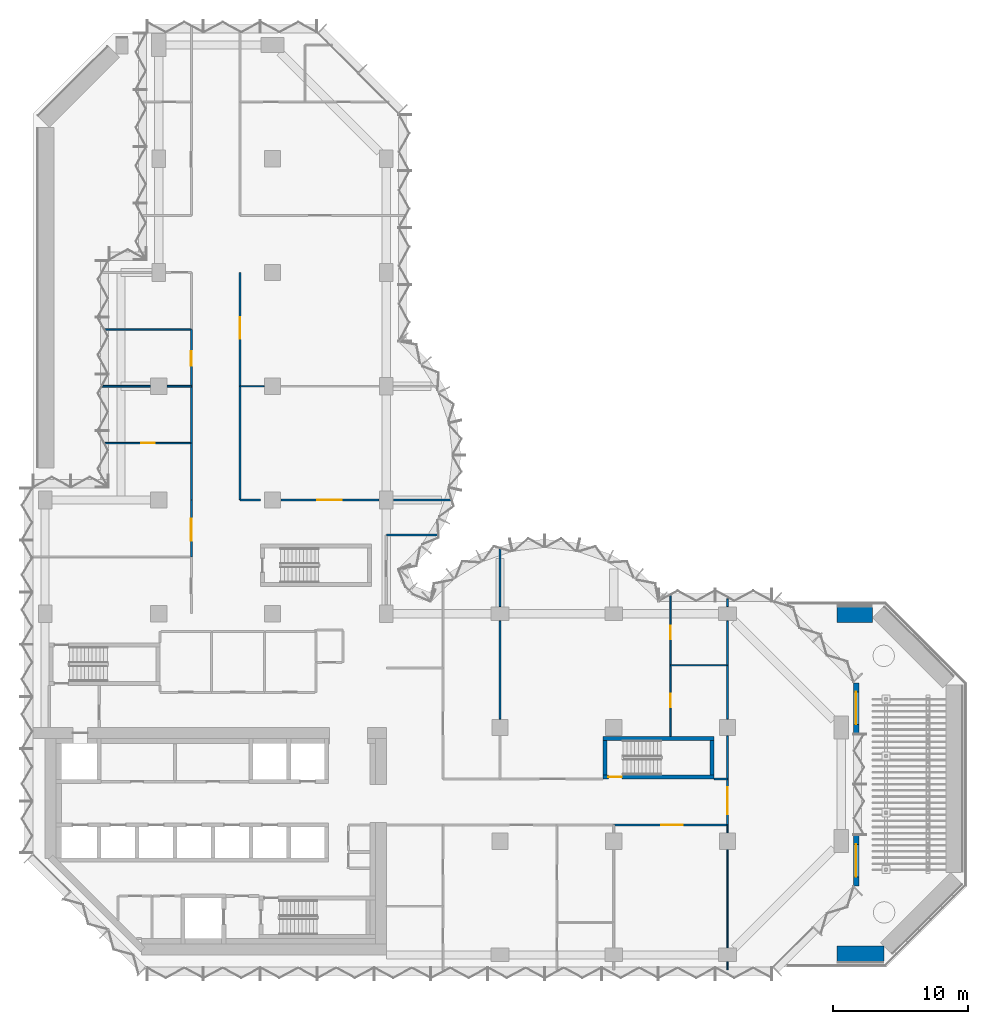
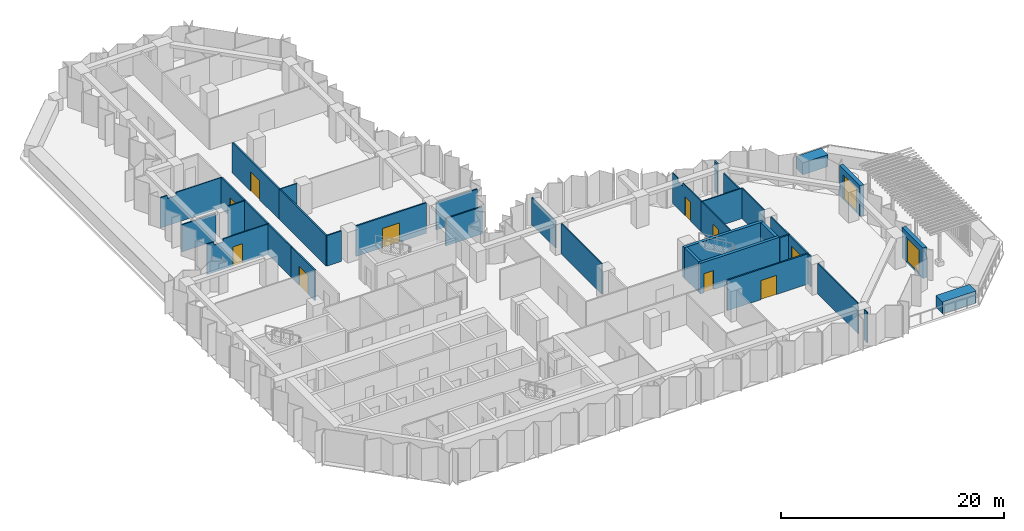
# One storey, part 13 of 18: 38 walls, 12 doors, 12 openings.
"""IFC4 building model written with IfcOpenShell, lengths in metres."""

from ifc_helpers import new_model, si_unit, direction, frame, frame_2d, origin, place, context, subcontext, project, spatial, polyline, rectangle, outline, extrude, material, layer, layer_set, type_object, element, fill, save


model = new_model("IFC4")

# Units and contexts
model_context = context("Model", 3, precision=1e-05, world=origin(), true_north=direction((0.0, 1.0)))
body_context = subcontext(model_context, "Body", "Model", "MODEL_VIEW")
ifc_project = project(units=[si_unit("LENGTHUNIT", "METRE"), si_unit("AREAUNIT", "SQUARE_METRE"), si_unit("VOLUMEUNIT", "CUBIC_METRE"), si_unit("PLANEANGLEUNIT", "RADIAN"), si_unit("MASSUNIT", "GRAM", prefix="KILO")], contexts=[model_context])

# Site, building, storey
site_placement = place(None, origin())
site = spatial("IfcSite", under=ifc_project, at=site_placement, CompositionType="ELEMENT")
building_placement = place(site_placement, origin())
building = spatial("IfcBuilding", under=site, at=building_placement, Name="Brevane Broadcast Tower", CompositionType="ELEMENT")
storey_placement = place(building_placement, frame((0.0, 0.0, 134.89990234375)))
storey = spatial("IfcBuildingStorey", under=building, at=storey_placement, Name="L33", CompositionType="ELEMENT", Elevation=134.89990234375)

# Wall, opening, door
ifc_material_1 = material(Name="Concrete C60/75", Category="concrete")
ifc_layer_1 = layer(ifc_material_1, 0.300048828125)
ifc_layer_set_1 = layer_set([ifc_layer_1], Name="Core wall 300 mm C60/75")
wall_type_1 = type_object("IfcWallType", Name="Core wall 300 mm C60/75", PredefinedType="SHEAR", material=ifc_layer_set_1)
wall_1_placement = place(storey_placement, frame((49.39990234375, 13.14990234375, 0.0), z_axis=(0.0, 0.0, 1.0), x_axis=(-1.0, 0.0, 0.0)))
wall_1 = element("IfcWall", 1, at=wall_1_placement, inside=storey, type_object=wall_type_1, Name="L33 stair wall ST-4-S", PredefinedType="SHEAR", context=body_context, shape_type="SweptSolid", body=[
    extrude(rectangle(XDim=8.199951171875, YDim=0.300048828125, at=frame_2d((4.10009765625, 0.0))), origin(), (0.0, 0.0, 1.0), 3.35009765625),
])
opening_1_placement = place(wall_1_placement, frame((6.800048828125, 0.0, 0.0)))
opening_1 = element("IfcOpeningElement", 2, at=opening_1_placement, cuts=wall_1, Name="Opening L33-K15", PredefinedType="OPENING", context=body_context, shape_type="SweptSolid", body=[
    extrude(rectangle(XDim=1.0, YDim=2.10009765625, at=frame_2d((0.5, 1.050048828125))), frame((0.0, 0.159912109375, 0.0), z_axis=(0.0, -1.0, 0.0), x_axis=(1.0, 0.0, 0.0)), (0.0, 0.0, 1.0), 0.320068359375),
])
ifc_material_2 = material(Name="Steel", Category="steel")
door_type_1 = type_object("IfcDoorType", Name="Stair door 1000 x 2100", OperationType="SINGLE_SWING_LEFT", PredefinedType="DOOR", material=ifc_material_2)
door_1_placement = place(opening_1_placement, origin())
door_1 = element("IfcDoor", 3, at=door_1_placement, inside=storey, type_object=door_type_1, Name="Door L33-K15", OperationType="SINGLE_SWING_LEFT", OverallHeight=2.10009765625, OverallWidth=1.0, PredefinedType="DOOR", context=body_context, shape_type="SweptSolid", body=[
    extrude(rectangle(XDim=1.0, YDim=2.10009765625, at=frame_2d((0.5, 1.050048828125))), frame((0.0, 0.02490234375, 0.0), z_axis=(0.0, -1.0, 0.0), x_axis=(1.0, 0.0, 0.0)), (0.0, 0.0, 1.0), 0.050048828125),
])
fill(opening_1, door_1)

# Walls
wall_2_placement = place(storey_placement, frame((41.199951171875, 16.0, 0.0), z_axis=(0.0, 0.0, 1.0), x_axis=(1.0, 0.0, 0.0)))
element("IfcWall", 4, at=wall_2_placement, inside=storey, type_object=wall_type_1, Name="L33 stair wall ST-4-N", PredefinedType="SHEAR", context=body_context, shape_type="SweptSolid", body=[
    extrude(rectangle(XDim=8.199951171875, YDim=0.300048828125, at=frame_2d((4.10009765625, 0.0))), origin(), (0.0, 0.0, 1.0), 3.35009765625),
])
for number, where, z_axis, x_axis, name in (
    (5, (41.35009765625, 13.300048828125, 0.0), (0.0, 0.0, 1.0), (0.0, 1.0, 0.0), "L33 stair wall ST-4-W"),
    (6, (49.25, 13.300048828125, 0.0), (0.0, 0.0, 1.0), (0.0, 1.0, 0.0), "L33 stair wall ST-4-E"),
):
    element("IfcWall", number, at=place(storey_placement, frame(where, z_axis=z_axis, x_axis=x_axis)), inside=storey, type_object=wall_type_1, Name=name, PredefinedType="SHEAR", context=body_context, shape_type="SweptSolid", body=[
        extrude(rectangle(XDim=2.550048828125, YDim=0.300048828125, at=frame_2d((1.27490234375, 0.0))), origin(), (0.0, 0.0, 1.0), 3.35009765625),
    ])

# Wall, opening, door
ifc_material_3 = material(Name="Concrete C40/50", Category="concrete")
ifc_layer_2 = layer(ifc_material_3, 0.39990234375)
ifc_layer_set_2 = layer_set([ifc_layer_2], Name="Entrance portal wall 400")
wall_type_2 = type_object("IfcWallType", Name="Entrance portal wall 400", PredefinedType="SOLIDWALL", material=ifc_layer_set_2)
wall_3_placement = place(storey_placement, frame((59.89990234375, 8.85009765625, 0.0), z_axis=(0.0, 0.0, 1.0), x_axis=(0.0, -1.0, 0.0)))
wall_3 = element("IfcWall", 7, at=wall_3_placement, inside=storey, type_object=wall_type_2, Name="Portal wall terrace door", PredefinedType="SOLIDWALL", context=body_context, shape_type="SweptSolid", body=[
    extrude(rectangle(XDim=3.75, YDim=0.39990234375, at=frame_2d((1.875, 0.0))), origin(), (0.0, 0.0, 1.0), 3.35009765625),
])
opening_2_placement = place(wall_3_placement, frame((0.675048828125, 0.0, 0.0)))
opening_2 = element("IfcOpeningElement", 8, at=opening_2_placement, cuts=wall_3, Name="Opening EX11", PredefinedType="OPENING", context=body_context, shape_type="SweptSolid", body=[
    extrude(rectangle(XDim=2.39990234375, YDim=2.699951171875, at=frame_2d((1.199951171875, 1.35009765625))), frame((0.0, 0.2099609375, 0.0), z_axis=(0.0, -1.0, 0.0), x_axis=(1.0, 0.0, 0.0)), (0.0, 0.0, 1.0), 0.419921875),
])
ifc_material_4 = material(Name="Aluminium bronze anodised and laminated glass", Category="aluminium")
door_type_2 = type_object("IfcDoorType", Name="Terrace door 2400x2700", OperationType="DOUBLE_DOOR_SINGLE_SWING", PredefinedType="DOOR", material=ifc_material_4)
door_2_placement = place(opening_2_placement, origin())
door_2 = element("IfcDoor", 9, at=door_2_placement, inside=storey, type_object=door_type_2, Name="Terrace door", OperationType="DOUBLE_DOOR_SINGLE_SWING", OverallHeight=2.699951171875, OverallWidth=2.39990234375, PredefinedType="DOOR", context=body_context, shape_type="SweptSolid", body=[
    extrude(rectangle(XDim=2.39990234375, YDim=2.699951171875, at=frame_2d((1.199951171875, 1.35009765625))), frame((0.0, 0.02490234375, 0.0), z_axis=(0.0, -1.0, 0.0), x_axis=(1.0, 0.0, 0.0)), (0.0, 0.0, 1.0), 0.050048828125),
])
fill(opening_2, door_2)

wall_4_placement = place(storey_placement, frame((59.89990234375, 20.10009765625, 0.0), z_axis=(0.0, 0.0, 1.0), x_axis=(0.0, -1.0, 0.0)))
wall_4 = element("IfcWall", 10, at=wall_4_placement, inside=storey, type_object=wall_type_2, Name="Portal wall terrace door", PredefinedType="SOLIDWALL", context=body_context, shape_type="SweptSolid", body=[
    extrude(rectangle(XDim=3.75, YDim=0.39990234375, at=frame_2d((1.875, 0.0))), origin(), (0.0, 0.0, 1.0), 3.35009765625),
])
opening_3_placement = place(wall_4_placement, frame((0.675048828125, 0.0, 0.0)))
opening_3 = element("IfcOpeningElement", 11, at=opening_3_placement, cuts=wall_4, Name="Opening EX12", PredefinedType="OPENING", context=body_context, shape_type="SweptSolid", body=[
    extrude(rectangle(XDim=2.39990234375, YDim=2.699951171875, at=frame_2d((1.199951171875, 1.35009765625))), frame((0.0, 0.2099609375, 0.0), z_axis=(0.0, -1.0, 0.0), x_axis=(1.0, 0.0, 0.0)), (0.0, 0.0, 1.0), 0.419921875),
])
door_3_placement = place(opening_3_placement, origin())
door_3 = element("IfcDoor", 12, at=door_3_placement, inside=storey, type_object=door_type_2, Name="Terrace door", OperationType="DOUBLE_DOOR_SINGLE_SWING", OverallHeight=2.699951171875, OverallWidth=2.39990234375, PredefinedType="DOOR", context=body_context, shape_type="SweptSolid", body=[
    extrude(rectangle(XDim=2.39990234375, YDim=2.699951171875, at=frame_2d((1.199951171875, 1.35009765625))), frame((0.0, 0.02490234375, 0.0), z_axis=(0.0, -1.0, 0.0), x_axis=(1.0, 0.0, 0.0)), (0.0, 0.0, 1.0), 0.050048828125),
])
fill(opening_3, door_3)

# Walls
ifc_material_5 = material(Name="Gypsum board partition")
ifc_layer_3 = layer(ifc_material_5, 0.10009765625)
ifc_layer_set_3 = layer_set([ifc_layer_3], Name="PARTITION 100 STUD")
wall_type_3 = type_object("IfcWallType", Name="PARTITION 100 STUD", PredefinedType="PARTITIONING", material=ifc_layer_set_3)
wall_5_placement = place(storey_placement, frame((50.39990234375, -1.10009765625, 0.0), z_axis=(0.0, 0.0, 1.0), x_axis=(0.0, 1.0, 0.0)))
element("IfcWall", 13, at=wall_5_placement, inside=storey, type_object=wall_type_3, Name="Partition G10-014", PredefinedType="PARTITIONING", context=body_context, shape_type="SweptSolid", body=[
    extrude(rectangle(XDim=0.580078125, YDim=0.10009765625, at=frame_2d((0.2900390625, 0.0))), origin(), (0.0, 0.0, 1.0), 3.330078125),
])
wall_6_placement = place(storey_placement, frame((50.39990234375, 0.52001953125, 0.0), z_axis=(0.0, 0.0, 1.0), x_axis=(0.0, 1.0, 0.0)))
element("IfcWall", 14, at=wall_6_placement, inside=storey, type_object=wall_type_3, Name="Partition G10-015", PredefinedType="PARTITIONING", context=body_context, shape_type="SweptSolid", body=[
    extrude(outline(polyline([(0.0, 0.0), (7.260009765625, 0.0), (7.260009765625, 3.330078125), (0.145751953125, 3.330078125), (0.143798828125, 2.97998046875), (0.0, 2.97998046875), (0.0, 0.0)])), frame((0.0, 0.050048828125, 0.0), z_axis=(0.0, -1.0, 0.0), x_axis=(1.0, 0.0, 0.0)), (0.0, 0.0, 1.0), 0.10009765625),
])
wall_7_placement = place(storey_placement, frame((50.39990234375, 9.02001953125, 0.0), z_axis=(0.0, 0.0, 1.0), x_axis=(0.0, 1.0, 0.0)))
element("IfcWall", 15, at=wall_7_placement, inside=storey, type_object=wall_type_3, Name="Partition G10-016", PredefinedType="PARTITIONING", context=body_context, shape_type="SweptSolid", body=[
    extrude(rectangle(XDim=0.580078125, YDim=0.10009765625, at=frame_2d((0.2900390625, 0.0))), origin(), (0.0, 0.0, 1.0), 3.330078125),
])

# Wall, opening, door
wall_8_placement = place(storey_placement, frame((46.199951171875, 21.39990234375, 0.0), z_axis=(0.0, 0.0, 1.0), x_axis=(0.0, -1.0, 0.0)))
wall_8 = element("IfcWall", 16, at=wall_8_placement, inside=storey, type_object=wall_type_3, Name="Partition G10-034", PredefinedType="PARTITIONING", context=body_context, shape_type="SweptSolid", body=[
    extrude(rectangle(XDim=5.25, YDim=0.10009765625, at=frame_2d((2.625, 0.0))), origin(), (0.0, 0.0, 1.0), 3.330078125),
])
opening_4_placement = place(wall_8_placement, frame((2.10009765625, 0.0, 0.0)))
opening_4 = element("IfcOpeningElement", 17, at=opening_4_placement, cuts=wall_8, Name="Opening D17-011", PredefinedType="OPENING", context=body_context, shape_type="SweptSolid", body=[
    extrude(rectangle(XDim=1.0, YDim=2.10009765625, at=frame_2d((0.5, 1.050048828125))), frame((0.0, 0.06005859375, 0.0), z_axis=(0.0, -1.0, 0.0), x_axis=(1.0, 0.0, 0.0)), (0.0, 0.0, 1.0), 0.1201171875),
])
ifc_material_6 = material(Name="Timber door leaf", Category="wood")
door_type_3 = type_object("IfcDoorType", Name="DOOR SINGLE 1000 INTERNAL", OperationType="SINGLE_SWING_LEFT", PredefinedType="DOOR", material=ifc_material_6)
door_4_placement = place(opening_4_placement, origin())
door_4 = element("IfcDoor", 18, at=door_4_placement, inside=storey, type_object=door_type_3, Name="Door D17-011", OperationType="SINGLE_SWING_LEFT", OverallHeight=2.10009765625, OverallWidth=1.0, PredefinedType="DOOR", context=body_context, shape_type="SweptSolid", body=[
    extrude(rectangle(XDim=1.0, YDim=2.10009765625, at=frame_2d((0.5, 1.050048828125))), frame((0.0, 0.02490234375, 0.0), z_axis=(0.0, -1.0, 0.0), x_axis=(1.0, 0.0, 0.0)), (0.0, 0.0, 1.0), 0.050048828125),
])
fill(opening_4, door_4)

wall_9_placement = place(storey_placement, frame((46.199951171875, 26.56494140625, 0.0), z_axis=(0.0, 0.0, 1.0), x_axis=(0.0, -1.0, 0.0)))
wall_9 = element("IfcWall", 19, at=wall_9_placement, inside=storey, type_object=wall_type_3, Name="Partition G10-035", PredefinedType="PARTITIONING", context=body_context, shape_type="SweptSolid", body=[
    extrude(outline(polyline([(0.0, 0.0), (5.1650390625, 0.0), (5.1650390625, 3.330078125), (1.81494140625, 3.330078125), (1.81298828125, 2.97998046875), (0.9169921875, 2.97998046875), (0.9150390625, 3.330078125), (0.264892578125, 3.330078125), (0.0, 3.330078125), (0.0, 0.0)])), frame((0.0, 0.050048828125, 0.0), z_axis=(0.0, -1.0, 0.0), x_axis=(1.0, 0.0, 0.0)), (0.0, 0.0, 1.0), 0.10009765625),
])
opening_5_placement = place(wall_9_placement, frame((2.264892578125, 0.0, 0.0)))
opening_5 = element("IfcOpeningElement", 20, at=opening_5_placement, cuts=wall_9, Name="Opening D17-012", PredefinedType="OPENING", context=body_context, shape_type="SweptSolid", body=[
    extrude(rectangle(XDim=1.0, YDim=2.10009765625, at=frame_2d((0.5, 1.050048828125))), frame((0.0, 0.06005859375, 0.0), z_axis=(0.0, -1.0, 0.0), x_axis=(1.0, 0.0, 0.0)), (0.0, 0.0, 1.0), 0.1201171875),
])
door_5_placement = place(opening_5_placement, origin())
door_5 = element("IfcDoor", 21, at=door_5_placement, inside=storey, type_object=door_type_3, Name="Door D17-012", OperationType="SINGLE_SWING_LEFT", OverallHeight=2.10009765625, OverallWidth=1.0, PredefinedType="DOOR", context=body_context, shape_type="SweptSolid", body=[
    extrude(rectangle(XDim=1.0, YDim=2.10009765625, at=frame_2d((0.5, 1.050048828125))), frame((0.0, 0.02490234375, 0.0), z_axis=(0.0, -1.0, 0.0), x_axis=(1.0, 0.0, 0.0)), (0.0, 0.0, 1.0), 0.050048828125),
])
fill(opening_5, door_5)

# Wall
wall_10_placement = place(storey_placement, frame((46.199951171875, 21.39990234375, 0.0), z_axis=(0.0, 0.0, 1.0), x_axis=(1.0, 0.0, 0.0)))
element("IfcWall", 22, at=wall_10_placement, inside=storey, type_object=wall_type_3, Name="Partition G10-036", PredefinedType="PARTITIONING", context=body_context, shape_type="SweptSolid", body=[
    extrude(rectangle(XDim=4.199951171875, YDim=0.10009765625, at=frame_2d((2.10009765625, 0.0))), origin(), (0.0, 0.0, 1.0), 3.330078125),
])

# Wall, opening, door
wall_11_placement = place(storey_placement, frame((4.426025390625, 37.800048828125, 0.0), z_axis=(0.0, 0.0, 1.0), x_axis=(1.0, 0.0, 0.0)))
wall_11 = element("IfcWall", 23, at=wall_11_placement, inside=storey, type_object=wall_type_3, Name="Partition G10-056", PredefinedType="PARTITIONING", context=body_context, shape_type="SweptSolid", body=[
    extrude(outline(polyline([(0.0, 0.0), (6.3740234375, 0.0), (6.3740234375, 3.330078125), (1.6240234375, 3.330078125), (1.6220703125, 2.97998046875), (0.72607421875, 2.97998046875), (0.72412109375, 3.330078125), (0.073974609375, 3.330078125), (0.0, 3.330078125), (0.0, 0.0)])), frame((0.0, 0.050048828125, 0.0), z_axis=(0.0, -1.0, 0.0), x_axis=(1.0, 0.0, 0.0)), (0.0, 0.0, 1.0), 0.10009765625),
])
opening_6_placement = place(wall_11_placement, frame((2.674072265625, 0.0, 0.0)))
opening_6 = element("IfcOpeningElement", 24, at=opening_6_placement, cuts=wall_11, Name="Opening D17-015", PredefinedType="OPENING", context=body_context, shape_type="SweptSolid", body=[
    extrude(rectangle(XDim=1.0, YDim=2.10009765625, at=frame_2d((0.5, 1.050048828125))), frame((0.0, 0.06005859375, 0.0), z_axis=(0.0, -1.0, 0.0), x_axis=(1.0, 0.0, 0.0)), (0.0, 0.0, 1.0), 0.1201171875),
])
door_6_placement = place(opening_6_placement, origin())
door_6 = element("IfcDoor", 25, at=door_6_placement, inside=storey, type_object=door_type_3, Name="Door D17-015", OperationType="SINGLE_SWING_LEFT", OverallHeight=2.10009765625, OverallWidth=1.0, PredefinedType="DOOR", context=body_context, shape_type="SweptSolid", body=[
    extrude(rectangle(XDim=1.0, YDim=2.10009765625, at=frame_2d((0.5, 1.050048828125))), frame((0.0, 0.02490234375, 0.0), z_axis=(0.0, -1.0, 0.0), x_axis=(1.0, 0.0, 0.0)), (0.0, 0.0, 1.0), 0.050048828125),
])
fill(opening_6, door_6)

# Walls
wall_12_placement = place(storey_placement, frame((4.426025390625, 46.199951171875, 0.0), z_axis=(0.0, 0.0, 1.0), x_axis=(1.0, 0.0, 0.0)))
element("IfcWall", 26, at=wall_12_placement, inside=storey, type_object=wall_type_3, Name="Partition G10-059", PredefinedType="PARTITIONING", context=body_context, shape_type="SweptSolid", body=[
    extrude(outline(polyline([(0.0, 0.0), (6.3740234375, 0.0), (6.3740234375, 3.330078125), (1.6240234375, 3.330078125), (1.6220703125, 2.97998046875), (0.72607421875, 2.97998046875), (0.72412109375, 3.330078125), (0.073974609375, 3.330078125), (0.0, 3.330078125), (0.0, 0.0)])), frame((0.0, 0.050048828125, 0.0), z_axis=(0.0, -1.0, 0.0), x_axis=(1.0, 0.0, 0.0)), (0.0, 0.0, 1.0), 0.10009765625),
])
wall_13_placement = place(storey_placement, frame((14.39990234375, 42.0, 0.0), z_axis=(0.0, 0.0, 1.0), x_axis=(1.0, 0.0, 0.0)))
element("IfcWall", 27, at=wall_13_placement, inside=storey, type_object=wall_type_3, Name="Partition G10-062", PredefinedType="PARTITIONING", context=body_context, shape_type="SweptSolid", body=[
    extrude(rectangle(XDim=1.780029296875, YDim=0.10009765625, at=frame_2d((0.89013671875, 0.0))), origin(), (0.0, 0.0, 1.0), 3.330078125),
])
ifc_layer_4 = layer(ifc_material_5, 0.125)
ifc_layer_set_4 = layer_set([ifc_layer_4], Name="PARTITION 125 ACOUSTIC")
wall_type_4 = type_object("IfcWallType", Name="PARTITION 125 ACOUSTIC", PredefinedType="PARTITIONING", material=ifc_layer_set_4)
wall_14_placement = place(storey_placement, frame((50.39990234375, 13.0, 0.0), z_axis=(0.0, 0.0, 1.0), x_axis=(0.0, 1.0, 0.0)))
element("IfcWall", 28, at=wall_14_placement, inside=storey, type_object=wall_type_4, Name="Partition G10-017", PredefinedType="PARTITIONING", context=body_context, shape_type="SweptSolid", body=[
    extrude(rectangle(XDim=3.179931640625, YDim=0.125, at=frame_2d((1.58984375, 0.0))), origin(), (0.0, 0.0, 1.0), 3.330078125),
])
wall_15_placement = place(storey_placement, frame((50.39990234375, 17.419921875, 0.0), z_axis=(0.0, 0.0, 1.0), x_axis=(0.0, 1.0, 0.0)))
element("IfcWall", 29, at=wall_15_placement, inside=storey, type_object=wall_type_4, Name="Partition G10-018", PredefinedType="PARTITIONING", context=body_context, shape_type="SweptSolid", body=[
    extrude(rectangle(XDim=3.97998046875, YDim=0.125, at=frame_2d((1.989990234375, 0.0))), origin(), (0.0, 0.0, 1.0), 3.330078125),
])
wall_16_placement = place(storey_placement, frame((50.39990234375, 21.39990234375, 0.0), z_axis=(0.0, 0.0, 1.0), x_axis=(0.0, 1.0, 0.0)))
element("IfcWall", 30, at=wall_16_placement, inside=storey, type_object=wall_type_4, Name="Partition G10-019", PredefinedType="PARTITIONING", context=body_context, shape_type="SweptSolid", body=[
    extrude(rectangle(XDim=3.280029296875, YDim=0.125, at=frame_2d((1.64013671875, 0.0))), origin(), (0.0, 0.0, 1.0), 2.97998046875),
])
wall_17_placement = place(storey_placement, frame((50.39990234375, 25.719970703125, 0.0), z_axis=(0.0, 0.0, 1.0), x_axis=(0.0, 1.0, 0.0)))
element("IfcWall", 31, at=wall_17_placement, inside=storey, type_object=wall_type_4, Name="Partition G10-020", PredefinedType="PARTITIONING", context=body_context, shape_type="SweptSolid", body=[
    extrude(rectangle(XDim=0.580078125, YDim=0.125, at=frame_2d((0.2900390625, 0.0))), origin(), (0.0, 0.0, 1.0), 3.330078125),
])
wall_18_placement = place(storey_placement, frame((33.60009765625, 29.98828125, 0.0), z_axis=(0.0, 0.0, 1.0), x_axis=(0.0, -1.0, 0.0)))
element("IfcWall", 32, at=wall_18_placement, inside=storey, type_object=wall_type_4, Name="Partition G10-031", PredefinedType="PARTITIONING", context=body_context, shape_type="SweptSolid", body=[
    extrude(rectangle(XDim=4.268310546875, YDim=0.125, at=frame_2d((2.13427734375, 0.0))), origin(), (0.0, 0.0, 1.0), 2.97998046875),
])
wall_19_placement = place(storey_placement, frame((33.60009765625, 24.679931640625, 0.0), z_axis=(0.0, 0.0, 1.0), x_axis=(0.0, -1.0, 0.0)))
element("IfcWall", 33, at=wall_19_placement, inside=storey, type_object=wall_type_4, Name="Partition G10-032", PredefinedType="PARTITIONING", context=body_context, shape_type="SweptSolid", body=[
    extrude(rectangle(XDim=7.260009765625, YDim=0.125, at=frame_2d((3.6298828125, 0.0))), origin(), (0.0, 0.0, 1.0), 3.330078125),
])
wall_20_placement = place(storey_placement, frame((4.235107421875, 42.0, 0.0), z_axis=(0.0, 0.0, 1.0), x_axis=(1.0, 0.0, 0.0)))
element("IfcWall", 34, at=wall_20_placement, inside=storey, type_object=wall_type_4, Name="Partition G10-057", PredefinedType="PARTITIONING", context=body_context, shape_type="SweptSolid", body=[
    extrude(rectangle(XDim=3.544921875, YDim=0.125, at=frame_2d((1.7724609375, 0.0))), origin(), (0.0, 0.0, 1.0), 2.97998046875),
])
wall_21_placement = place(storey_placement, frame((9.02001953125, 42.0, 0.0), z_axis=(0.0, 0.0, 1.0), x_axis=(1.0, 0.0, 0.0)))
element("IfcWall", 35, at=wall_21_placement, inside=storey, type_object=wall_type_4, Name="Partition G10-058", PredefinedType="PARTITIONING", context=body_context, shape_type="SweptSolid", body=[
    extrude(rectangle(XDim=1.780029296875, YDim=0.125, at=frame_2d((0.89013671875, 0.0))), origin(), (0.0, 0.0, 1.0), 3.330078125),
])
ifc_layer_5 = layer(ifc_material_5, 0.14990234375)
ifc_layer_set_5 = layer_set([ifc_layer_5], Name="PARTITION 150 EI 60")
wall_type_5 = type_object("IfcWallType", Name="PARTITION 150 EI 60", PredefinedType="PARTITIONING", material=ifc_layer_set_5)
wall_22_placement = place(storey_placement, frame((25.199951171875, 31.0, 0.0), z_axis=(0.0, 0.0, 1.0), x_axis=(1.0, 0.0, 0.0)))
element("IfcWall", 36, at=wall_22_placement, inside=storey, type_object=wall_type_5, Name="Partition G10-006", PredefinedType="PARTITIONING", context=body_context, shape_type="SweptSolid", body=[
    extrude(rectangle(XDim=3.80615234375, YDim=0.14990234375, at=frame_2d((1.903076171875, 0.0))), origin(), (0.0, 0.0, 1.0), 2.97998046875),
])

# Wall, opening, door
wall_23_placement = place(storey_placement, frame((50.39990234375, 13.0, 0.0), z_axis=(0.0, 0.0, 1.0), x_axis=(0.0, -1.0, 0.0)))
wall_23 = element("IfcWall", 37, at=wall_23_placement, inside=storey, type_object=wall_type_5, Name="Partition G10-007", PredefinedType="PARTITIONING", context=body_context, shape_type="SweptSolid", body=[
    extrude(rectangle(XDim=3.39990234375, YDim=0.14990234375, at=frame_2d((1.699951171875, 0.0))), origin(), (0.0, 0.0, 1.0), 3.330078125),
])
opening_7_placement = place(wall_23_placement, frame((0.60009765625, 0.0, 0.0)))
opening_7 = element("IfcOpeningElement", 38, at=opening_7_placement, cuts=wall_23, Name="Opening D17-002", PredefinedType="OPENING", context=body_context, shape_type="SweptSolid", body=[
    extrude(rectangle(XDim=2.0, YDim=2.39990234375, at=frame_2d((1.0, 1.199951171875))), frame((0.0, 0.0849609375, 0.0), z_axis=(0.0, -1.0, 0.0), x_axis=(1.0, 0.0, 0.0)), (0.0, 0.0, 1.0), 0.169921875),
])
ifc_material_7 = material(Name="Fire-rated timber door leaf", Category="wood")
door_type_4 = type_object("IfcDoorType", Name="DOOR DOUBLE 2000 FD30S", OperationType="DOUBLE_DOOR_SINGLE_SWING", PredefinedType="DOOR", material=ifc_material_7)
door_7_placement = place(opening_7_placement, origin())
door_7 = element("IfcDoor", 39, at=door_7_placement, inside=storey, type_object=door_type_4, Name="Door D17-002", OperationType="DOUBLE_DOOR_SINGLE_SWING", OverallHeight=2.39990234375, OverallWidth=2.0, PredefinedType="DOOR", context=body_context, shape_type="SweptSolid", body=[
    extrude(rectangle(XDim=2.0, YDim=2.39990234375, at=frame_2d((1.0, 1.199951171875))), frame((0.0, 0.02490234375, 0.0), z_axis=(0.0, -1.0, 0.0), x_axis=(1.0, 0.0, 0.0)), (0.0, 0.0, 1.0), 0.050048828125),
])
fill(opening_7, door_7)

wall_24_placement = place(storey_placement, frame((50.39990234375, 9.60009765625, 0.0), z_axis=(0.0, 0.0, 1.0), x_axis=(-1.0, 0.0, 0.0)))
wall_24 = element("IfcWall", 40, at=wall_24_placement, inside=storey, type_object=wall_type_5, Name="Partition G10-010", PredefinedType="PARTITIONING", context=body_context, shape_type="SweptSolid", body=[
    extrude(rectangle(XDim=8.39990234375, YDim=0.14990234375, at=frame_2d((4.199951171875, 0.0))), origin(), (0.0, 0.0, 1.0), 3.330078125),
])
opening_8_placement = place(wall_24_placement, frame((3.300048828125, 0.0, 0.0)))
opening_8 = element("IfcOpeningElement", 41, at=opening_8_placement, cuts=wall_24, Name="Opening D17-008", PredefinedType="OPENING", context=body_context, shape_type="SweptSolid", body=[
    extrude(rectangle(XDim=1.60009765625, YDim=2.10009765625, at=frame_2d((0.800048828125, 1.050048828125))), frame((0.0, 0.0849609375, 0.0), z_axis=(0.0, -1.0, 0.0), x_axis=(1.0, 0.0, 0.0)), (0.0, 0.0, 1.0), 0.169921875),
])
door_type_5 = type_object("IfcDoorType", Name="DOOR DOUBLE 1600 FD30S", OperationType="DOUBLE_DOOR_SINGLE_SWING", PredefinedType="DOOR", material=ifc_material_7)
door_8_placement = place(opening_8_placement, origin())
door_8 = element("IfcDoor", 42, at=door_8_placement, inside=storey, type_object=door_type_5, Name="Door D17-008", OperationType="DOUBLE_DOOR_SINGLE_SWING", OverallHeight=2.10009765625, OverallWidth=1.60009765625, PredefinedType="DOOR", context=body_context, shape_type="SweptSolid", body=[
    extrude(rectangle(XDim=1.60009765625, YDim=2.10009765625, at=frame_2d((0.800048828125, 1.050048828125))), frame((0.0, 0.02490234375, 0.0), z_axis=(0.0, -1.0, 0.0), x_axis=(1.0, 0.0, 0.0)), (0.0, 0.0, 1.0), 0.050048828125),
])
fill(opening_8, door_8)

# Wall
wall_25_placement = place(storey_placement, frame((49.39990234375, 13.0, 0.0), z_axis=(0.0, 0.0, 1.0), x_axis=(1.0, 0.0, 0.0)))
element("IfcWall", 43, at=wall_25_placement, inside=storey, type_object=wall_type_5, Name="Partition G10-013", PredefinedType="PARTITIONING", context=body_context, shape_type="SweptSolid", body=[
    extrude(rectangle(XDim=1.0, YDim=0.14990234375, at=frame_2d((0.5, 0.0))), origin(), (0.0, 0.0, 1.0), 3.330078125),
])

# Wall, opening, door
wall_26_placement = place(storey_placement, frame((10.800048828125, 29.39990234375, 0.0), z_axis=(0.0, 0.0, 1.0), x_axis=(0.0, 1.0, 0.0)))
wall_26 = element("IfcWall", 44, at=wall_26_placement, inside=storey, type_object=wall_type_5, Name="Partition G10-038", PredefinedType="PARTITIONING", context=body_context, shape_type="SweptSolid", body=[
    extrude(rectangle(XDim=4.2001953125, YDim=0.14990234375, at=frame_2d((2.10009765625, 0.0))), origin(), (0.0, 0.0, 1.0), 3.330078125),
])
opening_9_placement = place(wall_26_placement, frame((1.199951171875, 0.0, 0.0)))
opening_9 = element("IfcOpeningElement", 45, at=opening_9_placement, cuts=wall_26, Name="Opening D17-014", PredefinedType="OPENING", context=body_context, shape_type="SweptSolid", body=[
    extrude(rectangle(XDim=1.60009765625, YDim=2.10009765625, at=frame_2d((0.800048828125, 1.050048828125))), frame((0.0, 0.0849609375, 0.0), z_axis=(0.0, -1.0, 0.0), x_axis=(1.0, 0.0, 0.0)), (0.0, 0.0, 1.0), 0.169921875),
])
door_9_placement = place(opening_9_placement, origin())
door_9 = element("IfcDoor", 46, at=door_9_placement, inside=storey, type_object=door_type_5, Name="Door D17-014", OperationType="DOUBLE_DOOR_SINGLE_SWING", OverallHeight=2.10009765625, OverallWidth=1.60009765625, PredefinedType="DOOR", context=body_context, shape_type="SweptSolid", body=[
    extrude(rectangle(XDim=1.60009765625, YDim=2.10009765625, at=frame_2d((0.800048828125, 1.050048828125))), frame((0.0, 0.02490234375, 0.0), z_axis=(0.0, -1.0, 0.0), x_axis=(1.0, 0.0, 0.0)), (0.0, 0.0, 1.0), 0.050048828125),
])
fill(opening_9, door_9)

# Wall
wall_27_placement = place(storey_placement, frame((14.39990234375, 33.60009765625, 0.0), z_axis=(0.0, 0.0, 1.0), x_axis=(1.0, 0.0, 0.0)))
element("IfcWall", 47, at=wall_27_placement, inside=storey, type_object=wall_type_5, Name="Partition G10-039", PredefinedType="PARTITIONING", context=body_context, shape_type="SweptSolid", body=[
    extrude(rectangle(XDim=1.5, YDim=0.14990234375, at=frame_2d((0.75, 0.0))), origin(), (0.0, 0.0, 1.0), 3.330078125),
])

# Wall, opening, door
wall_28_placement = place(storey_placement, frame((17.419921875, 33.60009765625, 0.0), z_axis=(0.0, 0.0, 1.0), x_axis=(1.0, 0.0, 0.0)))
wall_28 = element("IfcWall", 48, at=wall_28_placement, inside=storey, type_object=wall_type_5, Name="Partition G10-040", PredefinedType="PARTITIONING", context=body_context, shape_type="SweptSolid", body=[
    extrude(rectangle(XDim=7.260009765625, YDim=0.14990234375, at=frame_2d((3.6298828125, 0.0))), origin(), (0.0, 0.0, 1.0), 3.330078125),
])
opening_10_placement = place(wall_28_placement, frame((2.699951171875, 0.0, 0.0)))
opening_10 = element("IfcOpeningElement", 49, at=opening_10_placement, cuts=wall_28, Name="Opening D17-020", PredefinedType="OPENING", context=body_context, shape_type="SweptSolid", body=[
    extrude(rectangle(XDim=1.800048828125, YDim=2.10009765625, at=frame_2d((0.89990234375, 1.050048828125))), frame((0.0, 0.0849609375, 0.0), z_axis=(0.0, -1.0, 0.0), x_axis=(1.0, 0.0, 0.0)), (0.0, 0.0, 1.0), 0.169921875),
])
door_type_6 = type_object("IfcDoorType", Name="DOOR DOUBLE 1800 FD30S", OperationType="DOUBLE_DOOR_SINGLE_SWING", PredefinedType="DOOR", material=ifc_material_7)
door_10_placement = place(opening_10_placement, origin())
door_10 = element("IfcDoor", 50, at=door_10_placement, inside=storey, type_object=door_type_6, Name="Door D17-020", OperationType="DOUBLE_DOOR_SINGLE_SWING", OverallHeight=2.10009765625, OverallWidth=1.800048828125, PredefinedType="DOOR", context=body_context, shape_type="SweptSolid", body=[
    extrude(rectangle(XDim=1.800048828125, YDim=2.10009765625, at=frame_2d((0.89990234375, 1.050048828125))), frame((0.0, 0.02490234375, 0.0), z_axis=(0.0, -1.0, 0.0), x_axis=(1.0, 0.0, 0.0)), (0.0, 0.0, 1.0), 0.050048828125),
])
fill(opening_10, door_10)

# Walls
wall_29_placement = place(storey_placement, frame((25.719970703125, 33.60009765625, 0.0), z_axis=(0.0, 0.0, 1.0), x_axis=(1.0, 0.0, 0.0)))
element("IfcWall", 51, at=wall_29_placement, inside=storey, type_object=wall_type_5, Name="Partition G10-041", PredefinedType="PARTITIONING", context=body_context, shape_type="SweptSolid", body=[
    extrude(rectangle(XDim=4.268310546875, YDim=0.14990234375, at=frame_2d((2.13427734375, 0.0))), origin(), (0.0, 0.0, 1.0), 2.97998046875),
])
for number, where, z_axis, x_axis, name in (
    (52, (10.800048828125, 33.60009765625, 0.0), (0.0, 0.0, 1.0), (0.0, 1.0, 0.0), "Partition G10-042"),
    (53, (10.800048828125, 37.800048828125, 0.0), (0.0, 0.0, 1.0), (0.0, 1.0, 0.0), "Partition G10-043"),
):
    element("IfcWall", number, at=place(storey_placement, frame(where, z_axis=z_axis, x_axis=x_axis)), inside=storey, type_object=wall_type_5, Name=name, PredefinedType="PARTITIONING", context=body_context, shape_type="SweptSolid", body=[
        extrude(rectangle(XDim=4.199951171875, YDim=0.14990234375, at=frame_2d((2.10009765625, 0.0))), origin(), (0.0, 0.0, 1.0), 3.330078125),
    ])

# Wall, opening, door
wall_30_placement = place(storey_placement, frame((10.800048828125, 42.0, 0.0), z_axis=(0.0, 0.0, 1.0), x_axis=(0.0, 1.0, 0.0)))
wall_30 = element("IfcWall", 54, at=wall_30_placement, inside=storey, type_object=wall_type_5, Name="Partition G10-044", PredefinedType="PARTITIONING", context=body_context, shape_type="SweptSolid", body=[
    extrude(rectangle(XDim=4.199951171875, YDim=0.14990234375, at=frame_2d((2.10009765625, 0.0))), origin(), (0.0, 0.0, 1.0), 3.330078125),
])
opening_11_placement = place(wall_30_placement, frame((1.5, 0.0, 0.0)))
opening_11 = element("IfcOpeningElement", 55, at=opening_11_placement, cuts=wall_30, Name="Opening D17-016", PredefinedType="OPENING", context=body_context, shape_type="SweptSolid", body=[
    extrude(rectangle(XDim=1.10009765625, YDim=2.10009765625, at=frame_2d((0.550048828125, 1.050048828125))), frame((0.0, 0.0849609375, 0.0), z_axis=(0.0, -1.0, 0.0), x_axis=(1.0, 0.0, 0.0)), (0.0, 0.0, 1.0), 0.169921875),
])
door_type_7 = type_object("IfcDoorType", Name="DOOR SINGLE 1100 FD30S", OperationType="SINGLE_SWING_LEFT", PredefinedType="DOOR", material=ifc_material_7)
door_11_placement = place(opening_11_placement, origin())
door_11 = element("IfcDoor", 56, at=door_11_placement, inside=storey, type_object=door_type_7, Name="Door D17-016", OperationType="SINGLE_SWING_LEFT", OverallHeight=2.10009765625, OverallWidth=1.10009765625, PredefinedType="DOOR", context=body_context, shape_type="SweptSolid", body=[
    extrude(rectangle(XDim=1.10009765625, YDim=2.10009765625, at=frame_2d((0.550048828125, 1.050048828125))), frame((0.0, 0.02490234375, 0.0), z_axis=(0.0, -1.0, 0.0), x_axis=(1.0, 0.0, 0.0)), (0.0, 0.0, 1.0), 0.050048828125),
])
fill(opening_11, door_11)

# Wall
wall_31_placement = place(storey_placement, frame((14.39990234375, 42.0, 0.0), z_axis=(0.0, 0.0, 1.0), x_axis=(0.0, -1.0, 0.0)))
element("IfcWall", 57, at=wall_31_placement, inside=storey, type_object=wall_type_5, Name="Partition G10-048", PredefinedType="PARTITIONING", context=body_context, shape_type="SweptSolid", body=[
    extrude(rectangle(XDim=8.39990234375, YDim=0.14990234375, at=frame_2d((4.199951171875, 0.0))), origin(), (0.0, 0.0, 1.0), 3.330078125),
])

# Wall, opening, door
wall_32_placement = place(storey_placement, frame((14.39990234375, 50.39990234375, 0.0), z_axis=(0.0, 0.0, 1.0), x_axis=(0.0, -1.0, 0.0)))
wall_32 = element("IfcWall", 58, at=wall_32_placement, inside=storey, type_object=wall_type_5, Name="Partition G10-049", PredefinedType="PARTITIONING", context=body_context, shape_type="SweptSolid", body=[
    extrude(rectangle(XDim=8.39990234375, YDim=0.14990234375, at=frame_2d((4.199951171875, 0.0))), origin(), (0.0, 0.0, 1.0), 3.330078125),
])
opening_12_placement = place(wall_32_placement, frame((3.300048828125, 0.0, 0.0)))
opening_12 = element("IfcOpeningElement", 59, at=opening_12_placement, cuts=wall_32, Name="Opening D17-021", PredefinedType="OPENING", context=body_context, shape_type="SweptSolid", body=[
    extrude(rectangle(XDim=1.60009765625, YDim=2.10009765625, at=frame_2d((0.800048828125, 1.050048828125))), frame((0.0, 0.0849609375, 0.0), z_axis=(0.0, -1.0, 0.0), x_axis=(1.0, 0.0, 0.0)), (0.0, 0.0, 1.0), 0.169921875),
])
door_12_placement = place(opening_12_placement, origin())
door_12 = element("IfcDoor", 60, at=door_12_placement, inside=storey, type_object=door_type_5, Name="Door D17-021", OperationType="DOUBLE_DOOR_SINGLE_SWING", OverallHeight=2.10009765625, OverallWidth=1.60009765625, PredefinedType="DOOR", context=body_context, shape_type="SweptSolid", body=[
    extrude(rectangle(XDim=1.60009765625, YDim=2.10009765625, at=frame_2d((0.800048828125, 1.050048828125))), frame((0.0, 0.02490234375, 0.0), z_axis=(0.0, -1.0, 0.0), x_axis=(1.0, 0.0, 0.0)), (0.0, 0.0, 1.0), 0.050048828125),
])
fill(opening_12, door_12)

# Walls
ifc_material_8 = material(Name="Concrete C30/37", Category="concrete")
ifc_layer_6 = layer(ifc_material_8, 1.199951171875)
ifc_layer_set_6 = layer_set([ifc_layer_6], Name="Planter wall 1200")
wall_type_6 = type_object("IfcWallType", Name="Planter wall 1200", PredefinedType="PARAPET", material=ifc_layer_set_6)
wall_33_placement = place(storey_placement, frame((61.1064453125, 25.14990234375, 0.0), z_axis=(0.0, 0.0, 1.0), x_axis=(-1.0, 0.0, 0.0)))
element("IfcWall", 61, at=wall_33_placement, inside=storey, type_object=wall_type_6, Name="Planting bed L33-1", PredefinedType="PARAPET", context=body_context, shape_type="SweptSolid", body=[
    extrude(rectangle(XDim=2.629150390625, YDim=1.199951171875, at=frame_2d((1.314453125, 0.0))), origin(), (0.0, 0.0, 1.0), 1.300048828125),
])
wall_34_placement = place(storey_placement, frame((58.477294921875, 0.050048828125, 0.0), z_axis=(0.0, 0.0, 1.0), x_axis=(1.0, 0.0, 0.0)))
element("IfcWall", 62, at=wall_34_placement, inside=storey, type_object=wall_type_6, Name="Planting bed L33-2", PredefinedType="PARAPET", context=body_context, shape_type="SweptSolid", body=[
    extrude(rectangle(XDim=3.477783203125, YDim=1.199951171875, at=frame_2d((1.73876953125, 0.0))), origin(), (0.0, 0.0, 1.0), 1.300048828125),
])

save(model, "model.ifc")
